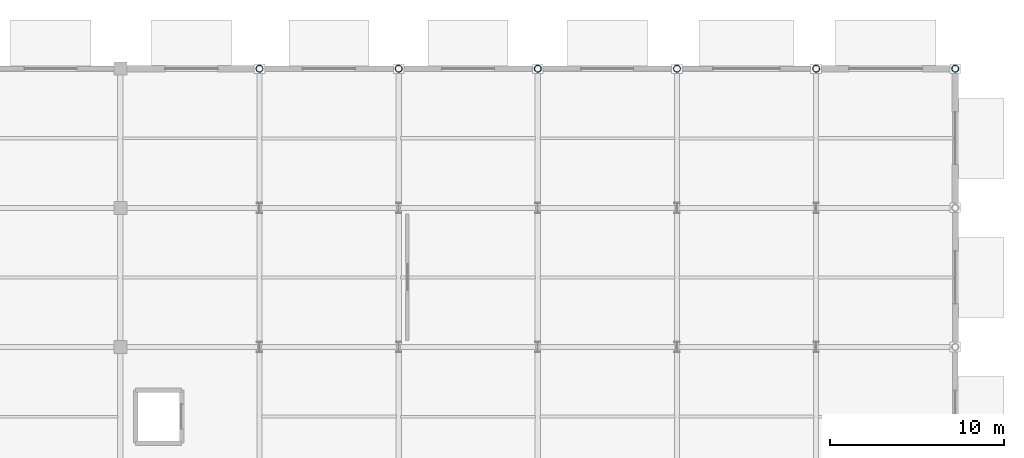
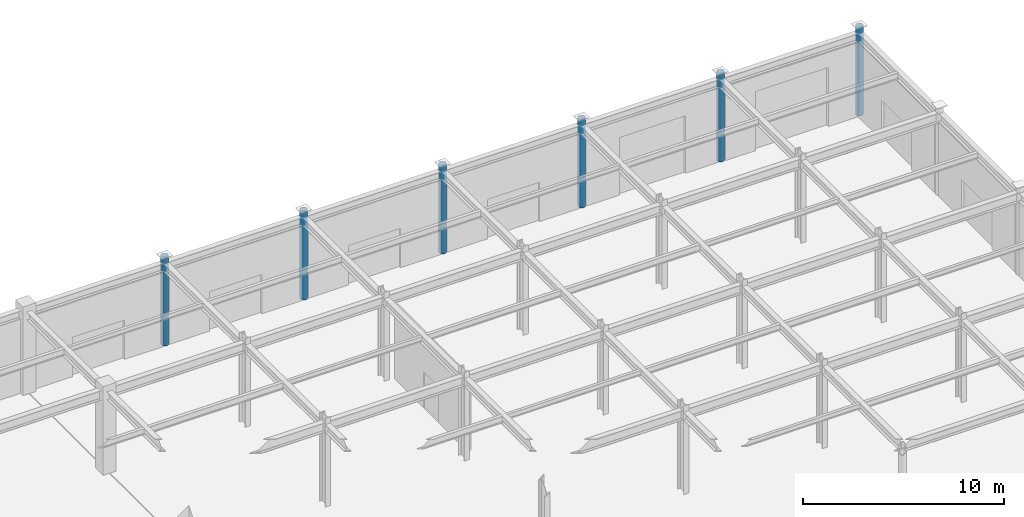
# One storey, part 10 of 39: 6 columns.
"""IFC4 building model written with IfcOpenShell, lengths in metres."""

from ifc_helpers import new_model, si_unit, direction, frame, origin, origin_2d, place, context, subcontext, project, spatial, hollow_circle, extrude, material, material_profile, profile_set, type_object, element, save


model = new_model("IFC4")

# Units and contexts
model_context = context("Model", 3, precision=1e-05, world=origin(), true_north=direction((0.0, 1.0)))
body_context = subcontext(model_context, "Body", "Model", "MODEL_VIEW")
ifc_project = project(units=[si_unit("LENGTHUNIT", "METRE"), si_unit("AREAUNIT", "SQUARE_METRE"), si_unit("VOLUMEUNIT", "CUBIC_METRE"), si_unit("PLANEANGLEUNIT", "RADIAN"), si_unit("MASSUNIT", "GRAM", prefix="KILO")], contexts=[model_context])

# Site, building, storey
site_placement = place(None, origin())
site = spatial("IfcSite", under=ifc_project, at=site_placement, CompositionType="ELEMENT")
building_placement = place(site_placement, origin())
building = spatial("IfcBuilding", under=site, at=building_placement, Name="Tazarka Park Arena", CompositionType="ELEMENT")
storey_placement = place(building_placement, origin())
storey = spatial("IfcBuildingStorey", under=building, at=storey_placement, Name="L00", CompositionType="ELEMENT", Elevation=0.0)

# Columns
ifc_material = material(Name="Steel S355", Category="steel")
ifc_material_profile = material_profile(ifc_material, hollow_circle(Radius=0.203125, WallThickness=0.02001953125, at=origin_2d()), Name="Steel S355")
ifc_profile_set = profile_set([ifc_material_profile], Name="Steel S355")
column_type = type_object("IfcColumnType", Name="COL-SC-04", PredefinedType="COLUMN", material=ifc_profile_set)
for number, where, z_axis, x_axis, name in (
    (1, (144.0, 128.0, 0.0), (0.0, 0.0, 1.0), (1.0, 0.0, 0.0), "CLM-L00-18-16"),
    (2, (152.0, 128.0, 0.0), (0.0, 0.0, 1.0), (1.0, 0.0, 0.0), "CLM-L00-19-16"),
    (3, (160.0, 128.0, 0.0), (0.0, 0.0, 1.0), (1.0, 0.0, 0.0), "CLM-L00-20-16"),
    (4, (168.0, 128.0, 0.0), (0.0, 0.0, 1.0), (1.0, 0.0, 0.0), "CLM-L00-21-16"),
    (5, (176.0, 128.0, 0.0), (0.0, 0.0, 1.0), (1.0, 0.0, 0.0), "CLM-L00-22-16"),
    (6, (184.0, 128.0, 0.0), (0.0, 0.0, 1.0), (1.0, 0.0, 0.0), "CLM-L00-23-16"),
):
    element("IfcColumn", number, at=place(storey_placement, frame(where, z_axis=z_axis, x_axis=x_axis)), inside=storey, type_object=column_type, Name=name, PredefinedType="COLUMN", context=body_context, shape_type="SweptSolid", body=[
        extrude(hollow_circle(Radius=0.203125, WallThickness=0.02001953125, at=origin_2d()), origin(), (0.0, 0.0, 1.0), 5.39990234375),
    ])

save(model, "model.ifc")
